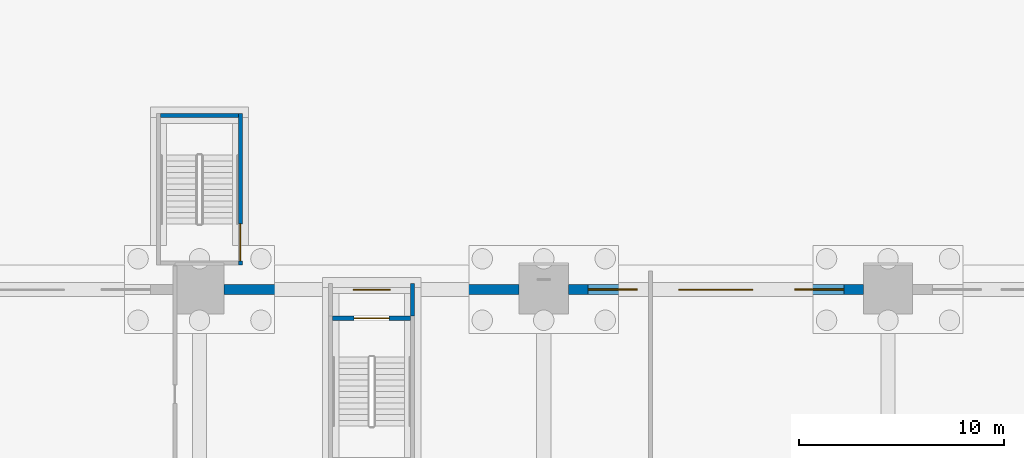
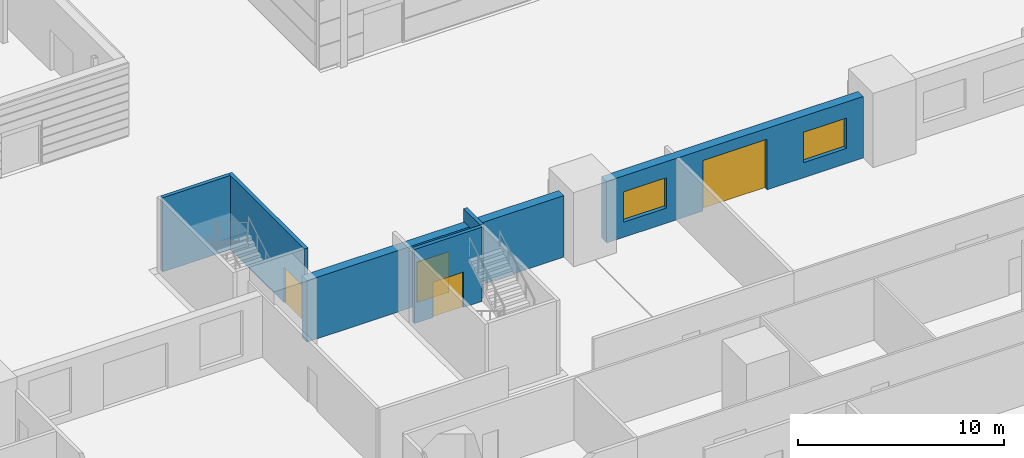
# One storey, part 84 of 139: 6 walls, 4 doors, 2 windows, 6 openings.
"""IFC4 building model written with IfcOpenShell, lengths in metres."""

from ifc_helpers import new_model, si_unit, direction, frame, frame_2d, origin, place, context, subcontext, project, spatial, rectangle, extrude, material, layer, layer_set, type_object, element, fill, save


model = new_model("IFC4")

# Units and contexts
model_context = context("Model", 3, precision=1e-05, world=origin(), true_north=direction((0.0, 1.0)))
body_context = subcontext(model_context, "Body", "Model", "MODEL_VIEW")
ifc_project = project(units=[si_unit("LENGTHUNIT", "METRE"), si_unit("AREAUNIT", "SQUARE_METRE"), si_unit("VOLUMEUNIT", "CUBIC_METRE"), si_unit("PLANEANGLEUNIT", "RADIAN"), si_unit("MASSUNIT", "GRAM", prefix="KILO")], contexts=[model_context])

# Site, building, storey
site_placement = place(None, origin())
site = spatial("IfcSite", under=ifc_project, at=site_placement, CompositionType="ELEMENT")
building_placement = place(site_placement, origin())
building = spatial("IfcBuilding", under=site, at=building_placement, Name="Verrick Yard Athletic Hall", CompositionType="ELEMENT")
storey_placement = place(building_placement, origin())
storey = spatial("IfcBuildingStorey", under=building, at=storey_placement, Name="L00", CompositionType="ELEMENT", Elevation=0.0)

# Wall, opening, door
ifc_material_1 = material(Name="Concrete 35 MPa", Category="concrete")
ifc_layer_1 = layer(ifc_material_1, 0.199951171875)
ifc_layer_set_1 = layer_set([ifc_layer_1], Name="Enclosure wall CR200")
wall_type_1 = type_object("IfcWallType", Name="Enclosure wall CR200", PredefinedType="SOLIDWALL", material=ifc_layer_set_1)
wall_1_placement = place(storey_placement, frame((113.699951171875, 51.39990234375, 0.0), z_axis=(0.0, 0.0, 1.0), x_axis=(1.0, 0.0, 0.0)))
wall_1 = element("IfcWall", 1, at=wall_1_placement, inside=storey, type_object=wall_type_1, Name="CORE-PS-N3-WN-L00", PredefinedType="SOLIDWALL", context=body_context, shape_type="SweptSolid", body=[
    extrude(rectangle(XDim=3.800048828125, YDim=0.199951171875, at=frame_2d((1.89990234375, 0.0))), origin(), (0.0, 0.0, 1.0), 4.39990234375),
])
opening_1_placement = place(wall_1_placement, frame((1.050048828125, 0.0, 0.0)))
opening_1 = element("IfcOpeningElement", 2, at=opening_1_placement, cuts=wall_1, Name="Opening SD2", PredefinedType="OPENING", context=body_context, shape_type="SweptSolid", body=[
    extrude(rectangle(XDim=1.699951171875, YDim=2.10009765625, at=frame_2d((0.85009765625, 1.050048828125))), frame((0.0, 0.10986328125, 0.0), z_axis=(0.0, -1.0, 0.0), x_axis=(1.0, 0.0, 0.0)), (0.0, 0.0, 1.0), 0.219970703125),
])
ifc_material_2 = material(Name="Hollow metal door leaf")
door_type_1 = type_object("IfcDoorType", Name="Core door SD2 1700x2100", OperationType="NOTDEFINED", PredefinedType="DOOR", material=ifc_material_2)
door_1_placement = place(opening_1_placement, origin())
door_1 = element("IfcDoor", 3, at=door_1_placement, inside=storey, type_object=door_type_1, Name="CORE-PS-N3-WN-L00-DSD2-11560", OperationType="DOUBLE_DOOR_SINGLE_SWING", OverallHeight=2.10009765625, OverallWidth=1.699951171875, PredefinedType="DOOR", context=body_context, shape_type="SweptSolid", body=[
    extrude(rectangle(XDim=1.699951171875, YDim=2.10009765625, at=frame_2d((0.85009765625, 1.050048828125))), frame((0.0, 0.02490234375, 0.0), z_axis=(0.0, -1.0, 0.0), x_axis=(1.0, 0.0, 0.0)), (0.0, 0.0, 1.0), 0.050048828125),
])
fill(opening_1, door_1)

# Wall
wall_2_placement = place(storey_placement, frame((117.60009765625, 51.5, 0.0), z_axis=(0.0, 0.0, 1.0), x_axis=(0.0, 1.0, 0.0)))
element("IfcWall", 4, at=wall_2_placement, inside=storey, type_object=wall_type_1, Name="CORE-PS-N3-VWE", PredefinedType="SOLIDWALL", context=body_context, shape_type="SweptSolid", body=[
    extrude(rectangle(XDim=1.60009765625, YDim=0.199951171875, at=frame_2d((0.800048828125, 0.0))), origin(), (0.0, 0.0, 1.0), 4.39990234375),
])

# Wall, opening, door
ifc_layer_2 = layer(ifc_material_1, 0.199951171875)
ifc_layer_set_2 = layer_set([ifc_layer_2], Name="External enclosure wall CR200")
wall_type_2 = type_object("IfcWallType", Name="External enclosure wall CR200", PredefinedType="SOLIDWALL", material=ifc_layer_set_2)
wall_3_placement = place(storey_placement, frame((109.199951171875, 61.39990234375, 0.0), z_axis=(0.0, 0.0, 1.0), x_axis=(0.0, -1.0, 0.0)))
wall_3 = element("IfcWall", 5, at=wall_3_placement, inside=storey, type_object=wall_type_2, Name="CORE-DT-N2-WE-L00", PredefinedType="SOLIDWALL", context=body_context, shape_type="SweptSolid", body=[
    extrude(rectangle(XDim=7.39990234375, YDim=0.199951171875, at=frame_2d((3.699951171875, 0.0))), origin(), (0.0, 0.0, 1.0), 4.39990234375),
])
opening_2_placement = place(wall_3_placement, frame((5.39990234375, 0.0, 0.0)))
opening_2 = element("IfcOpeningElement", 6, at=opening_2_placement, cuts=wall_3, Name="Opening XD2", PredefinedType="OPENING", context=body_context, shape_type="SweptSolid", body=[
    extrude(rectangle(XDim=1.800048828125, YDim=2.10009765625, at=frame_2d((0.89990234375, 1.050048828125))), frame((0.0, 0.10986328125, 0.0), z_axis=(0.0, -1.0, 0.0), x_axis=(1.0, 0.0, 0.0)), (0.0, 0.0, 1.0), 0.219970703125),
])
ifc_material_3 = material(Name="Aluminium door leaf", Category="aluminium")
door_type_2 = type_object("IfcDoorType", Name="Core door XD2 1800x2100", OperationType="NOTDEFINED", PredefinedType="DOOR", material=ifc_material_3)
door_2_placement = place(opening_2_placement, origin())
door_2 = element("IfcDoor", 7, at=door_2_placement, inside=storey, type_object=door_type_2, Name="CORE-DT-N2-WE-L00-DXD2-5510", OperationType="DOUBLE_DOOR_SINGLE_SWING", OverallHeight=2.10009765625, OverallWidth=1.800048828125, PredefinedType="DOOR", context=body_context, shape_type="SweptSolid", body=[
    extrude(rectangle(XDim=1.800048828125, YDim=2.10009765625, at=frame_2d((0.89990234375, 1.050048828125))), frame((0.0, 0.02490234375, 0.0), z_axis=(0.0, -1.0, 0.0), x_axis=(1.0, 0.0, 0.0)), (0.0, 0.0, 1.0), 0.050048828125),
])
fill(opening_2, door_2)

# Wall
wall_4_placement = place(storey_placement, frame((105.300048828125, 61.300048828125, 0.0), z_axis=(0.0, 0.0, 1.0), x_axis=(1.0, 0.0, 0.0)))
element("IfcWall", 8, at=wall_4_placement, inside=storey, type_object=wall_type_2, Name="CORE-DT-N2-WN-L00", PredefinedType="SOLIDWALL", context=body_context, shape_type="SweptSolid", body=[
    extrude(rectangle(XDim=3.800048828125, YDim=0.199951171875, at=frame_2d((1.89990234375, 0.0))), origin(), (0.0, 0.0, 1.0), 4.39990234375),
])

# Wall, opening, door
ifc_material_4 = material(Name="Rusticated limestone cladding", Category="masonry")
ifc_layer_3 = layer(ifc_material_4, 0.10009765625, Name="Rusticated limestone cladding")
ifc_material_5 = material(Name="Mineral wool insulation")
ifc_layer_4 = layer(ifc_material_5, 0.10009765625, Name="Mineral wool insulation")
ifc_layer_5 = layer(ifc_material_1, 0.300048828125, Name="Concrete 35 MPa")
ifc_layer_set_3 = layer_set([ifc_layer_3, ifc_layer_4, ifc_layer_5], Name="Rusticated base wall 500")
wall_type_3 = type_object("IfcWallType", Name="Rusticated base wall 500", PredefinedType="SOLIDWALL", material=ifc_layer_set_3)
wall_5_placement = place(storey_placement, frame((108.39990234375, 52.800048828125, 0.0), z_axis=(0.0, 0.0, 1.0), x_axis=(1.0, 0.0, 0.0)))
wall_5 = element("IfcWall", 9, at=wall_5_placement, inside=storey, type_object=wall_type_3, Name="Base wall N5", PredefinedType="SOLIDWALL", context=body_context, shape_type="SweptSolid", body=[
    extrude(rectangle(XDim=14.400146484375, YDim=0.5, at=frame_2d((7.2001953125, 0.0))), origin(), (0.0, 0.0, 1.0), 3.64990234375),
])
opening_3_placement = place(wall_5_placement, frame((6.300048828125, 0.0, 0.0)))
opening_3 = element("IfcOpeningElement", 10, at=opening_3_placement, cuts=wall_5, Name="Opening ED5", PredefinedType="OPENING", context=body_context, shape_type="SweptSolid", body=[
    extrude(rectangle(XDim=1.800048828125, YDim=2.39990234375, at=frame_2d((0.89990234375, 1.199951171875))), frame((0.0, 0.260009765625, 0.0), z_axis=(0.0, -1.0, 0.0), x_axis=(1.0, 0.0, 0.0)), (0.0, 0.0, 1.0), 0.52001953125),
])
ifc_material_6 = material(Name="Insulated steel door", Category="steel")
door_type_3 = type_object("IfcDoorType", Name="Exit door pair 1800 x 2400", OperationType="NOTDEFINED", PredefinedType="DOOR", material=ifc_material_6)
door_3_placement = place(opening_3_placement, origin())
door_3 = element("IfcDoor", 11, at=door_3_placement, inside=storey, type_object=door_type_3, Name="Exterior door E16", OperationType="DOUBLE_DOOR_SINGLE_SWING", OverallHeight=2.39990234375, OverallWidth=1.800048828125, PredefinedType="DOOR", context=body_context, shape_type="SweptSolid", body=[
    extrude(rectangle(XDim=1.800048828125, YDim=2.39990234375, at=frame_2d((0.89990234375, 1.199951171875))), frame((0.0, 0.02490234375, 0.0), z_axis=(0.0, -1.0, 0.0), x_axis=(1.0, 0.0, 0.0)), (0.0, 0.0, 1.0), 0.050048828125),
])
fill(opening_3, door_3)

# Wall, openings, door, windows
wall_6_placement = place(storey_placement, frame((125.199951171875, 52.800048828125, 0.0), z_axis=(0.0, 0.0, 1.0), x_axis=(1.0, 0.0, 0.0)))
wall_6 = element("IfcWall", 12, at=wall_6_placement, inside=storey, type_object=wall_type_3, Name="Base wall N6", PredefinedType="SOLIDWALL", context=body_context, shape_type="SweptSolid", body=[
    extrude(rectangle(XDim=14.400146484375, YDim=0.5, at=frame_2d((7.2001953125, 0.0))), origin(), (0.0, 0.0, 1.0), 3.64990234375),
])
opening_4_placement = place(wall_6_placement, frame((0.9599609375, 0.0, 0.89990234375)))
opening_4 = element("IfcOpeningElement", 13, at=opening_4_placement, cuts=wall_6, Name="Opening W1", PredefinedType="OPENING", context=body_context, shape_type="SweptSolid", body=[
    extrude(rectangle(XDim=2.39990234375, YDim=1.800048828125, at=frame_2d((1.199951171875, 0.89990234375))), frame((0.0, 0.260009765625, 0.0), z_axis=(0.0, -1.0, 0.0), x_axis=(1.0, 0.0, 0.0)), (0.0, 0.0, 1.0), 0.52001953125),
])
opening_5_placement = place(wall_6_placement, frame((11.0400390625, 0.0, 0.89990234375)))
opening_5 = element("IfcOpeningElement", 14, at=opening_5_placement, cuts=wall_6, Name="Opening W1", PredefinedType="OPENING", context=body_context, shape_type="SweptSolid", body=[
    extrude(rectangle(XDim=2.39990234375, YDim=1.800048828125, at=frame_2d((1.199951171875, 0.89990234375))), frame((0.0, 0.260009765625, 0.0), z_axis=(0.0, -1.0, 0.0), x_axis=(1.0, 0.0, 0.0)), (0.0, 0.0, 1.0), 0.52001953125),
])
opening_6_placement = place(wall_6_placement, frame((5.39990234375, 0.0, 0.0)))
opening_6 = element("IfcOpeningElement", 15, at=opening_6_placement, cuts=wall_6, Name="Opening ED4", PredefinedType="OPENING", context=body_context, shape_type="SweptSolid", body=[
    extrude(rectangle(XDim=3.60009765625, YDim=3.0, at=frame_2d((1.800048828125, 1.5))), frame((0.0, 0.260009765625, 0.0), z_axis=(0.0, -1.0, 0.0), x_axis=(1.0, 0.0, 0.0)), (0.0, 0.0, 1.0), 0.52001953125),
])
ifc_material_7 = material(Name="Insulated steel roller shutter", Category="steel")
door_type_4 = type_object("IfcDoorType", Name="Loading door 3600 x 3000", OperationType="NOTDEFINED", PredefinedType="DOOR", material=ifc_material_7)
door_4_placement = place(opening_6_placement, origin())
door_4 = element("IfcDoor", 16, at=door_4_placement, inside=storey, type_object=door_type_4, Name="Exterior door E9", OperationType="ROLLINGUP", OverallHeight=3.0, OverallWidth=3.60009765625, PredefinedType="DOOR", context=body_context, shape_type="SweptSolid", body=[
    extrude(rectangle(XDim=3.60009765625, YDim=3.0, at=frame_2d((1.800048828125, 1.5))), frame((0.0, 0.02490234375, 0.0), z_axis=(0.0, -1.0, 0.0), x_axis=(1.0, 0.0, 0.0)), (0.0, 0.0, 1.0), 0.050048828125),
])
fill(opening_6, door_4)
ifc_material_8 = material(Name="Aluminium frame with double glazing", Category="aluminium")
window_type = type_object("IfcWindowType", Name="Window 2400 x 1800", PartitioningType="NOTDEFINED", PredefinedType="WINDOW", material=ifc_material_8)
window_1_placement = place(opening_4_placement, origin())
window_1 = element("IfcWindow", 17, at=window_1_placement, inside=storey, type_object=window_type, Name="Window N6.1", OverallHeight=1.800048828125, OverallWidth=2.39990234375, PartitioningType="SINGLE_PANEL", PredefinedType="WINDOW", context=body_context, shape_type="SweptSolid", body=[
    extrude(rectangle(XDim=2.39990234375, YDim=1.800048828125, at=frame_2d((1.199951171875, 0.89990234375))), frame((0.0, 0.030029296875, 0.0), z_axis=(0.0, -1.0, 0.0), x_axis=(1.0, 0.0, 0.0)), (0.0, 0.0, 1.0), 0.06005859375),
])
fill(opening_4, window_1)
window_2_placement = place(opening_5_placement, origin())
window_2 = element("IfcWindow", 18, at=window_2_placement, inside=storey, type_object=window_type, Name="Window N6.2", OverallHeight=1.800048828125, OverallWidth=2.39990234375, PartitioningType="SINGLE_PANEL", PredefinedType="WINDOW", context=body_context, shape_type="SweptSolid", body=[
    extrude(rectangle(XDim=2.39990234375, YDim=1.800048828125, at=frame_2d((1.199951171875, 0.89990234375))), frame((0.0, 0.030029296875, 0.0), z_axis=(0.0, -1.0, 0.0), x_axis=(1.0, 0.0, 0.0)), (0.0, 0.0, 1.0), 0.06005859375),
])
fill(opening_5, window_2)

save(model, "model.ifc")
